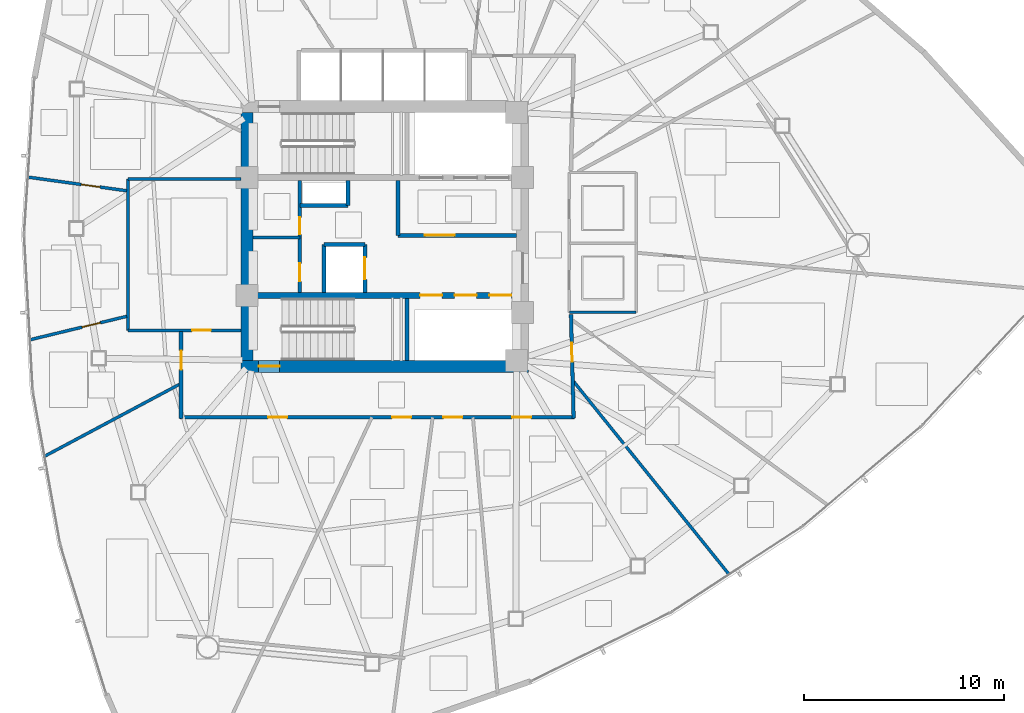
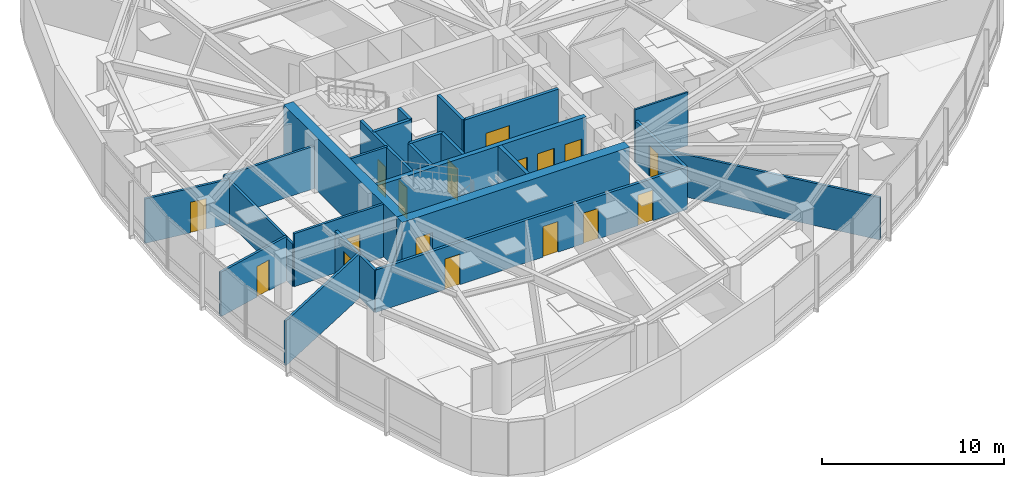
# One storey, part 12 of 18: 24 walls, 17 doors, 17 openings.
"""IFC4 building model written with IfcOpenShell, lengths in metres."""

from ifc_helpers import new_model, si_unit, direction, frame, frame_2d, origin, place, context, subcontext, project, spatial, rectangle, extrude, material, layer, layer_set, type_object, element, fill, save


model = new_model("IFC4")

# Units and contexts
model_context = context("Model", 3, precision=1e-05, world=origin(), true_north=direction((0.0, 1.0)))
body_context = subcontext(model_context, "Body", "Model", "MODEL_VIEW")
ifc_project = project(units=[si_unit("LENGTHUNIT", "METRE"), si_unit("AREAUNIT", "SQUARE_METRE"), si_unit("VOLUMEUNIT", "CUBIC_METRE"), si_unit("PLANEANGLEUNIT", "RADIAN"), si_unit("MASSUNIT", "GRAM", prefix="KILO")], contexts=[model_context])

# Site, building, storey
site_placement = place(None, origin())
site = spatial("IfcSite", under=ifc_project, at=site_placement, CompositionType="ELEMENT")
building_placement = place(site_placement, origin())
building = spatial("IfcBuilding", under=site, at=building_placement, Name="Tavelor Broadcast Tower", CompositionType="ELEMENT")
storey_placement = place(building_placement, frame((0.0, 0.0, 157.949951171875)))
storey = spatial("IfcBuildingStorey", under=building, at=storey_placement, Name="L37", CompositionType="ELEMENT", Elevation=157.949951171875)

# Wall, opening, door
ifc_material_1 = material(Name="Concrete C60/75", Category="concrete")
ifc_layer_1 = layer(ifc_material_1, 0.60009765625)
ifc_layer_set_1 = layer_set([ifc_layer_1], Name="Concrete C60/75")
wall_type_1 = type_object("IfcWallType", Name="Core Shear Wall 600 mm", PredefinedType="SHEAR", material=ifc_layer_set_1)
wall_1_placement = place(storey_placement, frame((42.800048828125, 38.5, 0.0), z_axis=(0.0, 0.0, 1.0), x_axis=(1.0, 0.0, 0.0)))
wall_1 = element("IfcWall", 1, at=wall_1_placement, inside=storey, type_object=wall_type_1, Name="L37 Central Core Shear Wall S", PredefinedType="SHEAR", context=body_context, shape_type="SweptSolid", body=[
    extrude(rectangle(XDim=14.39990234375, YDim=0.60009765625, at=frame_2d((7.199951171875, 0.0))), origin(), (0.0, 0.0, 1.0), 3.550048828125),
])
opening_1_placement = place(wall_1_placement, frame((0.8798828125, 0.0, 0.0)))
opening_1 = element("IfcOpeningElement", 2, at=opening_1_placement, cuts=wall_1, Name="Opening DR11", PredefinedType="OPENING", context=body_context, shape_type="SweptSolid", body=[
    extrude(rectangle(XDim=1.050048828125, YDim=2.199951171875, at=frame_2d((0.52490234375, 1.10009765625))), frame((0.0, 0.31005859375, 0.0), z_axis=(0.0, -1.0, 0.0), x_axis=(1.0, 0.0, 0.0)), (0.0, 0.0, 1.0), 0.6201171875),
])
ifc_material_2 = material(Name="Steel S355", Category="steel")
door_type_1 = type_object("IfcDoorType", Name="Stair Core Fire Escape Door 1050x2200", OperationType="NOTDEFINED", PredefinedType="DOOR", material=ifc_material_2)
door_1_placement = place(opening_1_placement, origin())
door_1 = element("IfcDoor", 3, at=door_1_placement, inside=storey, type_object=door_type_1, Name="L37 Stair ST2 Protected Exit Door", OperationType="SINGLE_SWING_RIGHT", OverallHeight=2.199951171875, OverallWidth=1.050048828125, PredefinedType="DOOR", context=body_context, shape_type="SweptSolid", body=[
    extrude(rectangle(XDim=1.050048828125, YDim=2.199951171875, at=frame_2d((0.52490234375, 1.10009765625))), frame((0.0, 0.02490234375, 0.0), z_axis=(0.0, -1.0, 0.0), x_axis=(1.0, 0.0, 0.0)), (0.0, 0.0, 1.0), 0.050048828125),
])
fill(opening_1, door_1)

# Wall
wall_2_placement = place(storey_placement, frame((43.10009765625, 38.800048828125, 0.0), z_axis=(0.0, 0.0, 1.0), x_axis=(0.0, 1.0, 0.0)))
element("IfcWall", 4, at=wall_2_placement, inside=storey, type_object=wall_type_1, Name="L37 Central Core Shear Wall W", PredefinedType="SHEAR", context=body_context, shape_type="SweptSolid", body=[
    extrude(rectangle(XDim=12.39990234375, YDim=0.60009765625, at=frame_2d((6.199951171875, 0.0))), origin(), (0.0, 0.0, 1.0), 3.550048828125),
])

# Wall, openings, doors
ifc_layer_2 = layer(ifc_material_1, 0.300048828125)
ifc_layer_set_2 = layer_set([ifc_layer_2], Name="Concrete C60/75")
wall_type_2 = type_object("IfcWallType", Name="Core Spine Shear Wall 300 mm C60", PredefinedType="SHEAR", material=ifc_layer_set_2)
wall_3_placement = place(storey_placement, frame((43.39990234375, 42.050048828125, 0.0), z_axis=(0.0, 0.0, 1.0), x_axis=(1.0, 0.0, 0.0)))
wall_3 = element("IfcWall", 5, at=wall_3_placement, inside=storey, type_object=wall_type_2, Name="L37 Central Core Shear Wall SP2", PredefinedType="SHEAR", context=body_context, shape_type="SweptSolid", body=[
    extrude(rectangle(XDim=13.2001953125, YDim=0.300048828125, at=frame_2d((6.60009765625, 0.0))), origin(), (0.0, 0.0, 1.0), 3.550048828125),
])
opening_2_placement = place(wall_3_placement, frame((8.3701171875, 0.0, 0.0)))
opening_2 = element("IfcOpeningElement", 6, at=opening_2_placement, cuts=wall_3, Name="Opening LD01", PredefinedType="OPENING", context=body_context, shape_type="SweptSolid", body=[
    extrude(rectangle(XDim=1.10009765625, YDim=2.14990234375, at=frame_2d((0.550048828125, 1.074951171875))), frame((0.0, 0.16015625, 0.0), z_axis=(0.0, -1.0, 0.0), x_axis=(1.0, 0.0, 0.0)), (0.0, 0.0, 1.0), 0.320068359375),
])
opening_3_placement = place(wall_3_placement, frame((10.090087890625, 0.0, 0.0)))
opening_3 = element("IfcOpeningElement", 7, at=opening_3_placement, cuts=wall_3, Name="Opening LD01", PredefinedType="OPENING", context=body_context, shape_type="SweptSolid", body=[
    extrude(rectangle(XDim=1.10009765625, YDim=2.14990234375, at=frame_2d((0.550048828125, 1.074951171875))), frame((0.0, 0.16015625, 0.0), z_axis=(0.0, -1.0, 0.0), x_axis=(1.0, 0.0, 0.0)), (0.0, 0.0, 1.0), 0.320068359375),
])
opening_4_placement = place(wall_3_placement, frame((11.830078125, 0.0, 0.0)))
opening_4 = element("IfcOpeningElement", 8, at=opening_4_placement, cuts=wall_3, Name="Opening LD01", PredefinedType="OPENING", context=body_context, shape_type="SweptSolid", body=[
    extrude(rectangle(XDim=1.10009765625, YDim=2.14990234375, at=frame_2d((0.550048828125, 1.074951171875))), frame((0.0, 0.16015625, 0.0), z_axis=(0.0, -1.0, 0.0), x_axis=(1.0, 0.0, 0.0)), (0.0, 0.0, 1.0), 0.320068359375),
])
ifc_material_3 = material(Name="Brushed Stainless Steel", Category="steel")
door_type_2 = type_object("IfcDoorType", Name="Passenger Lift Sliding Landing Door 1100x2150", OperationType="NOTDEFINED", PredefinedType="DOOR", material=ifc_material_3)
door_2_placement = place(opening_2_placement, origin())
door_2 = element("IfcDoor", 9, at=door_2_placement, inside=storey, type_object=door_type_2, Name="L37 Lift PLM1 Sliding Landing Door", OperationType="SLIDING_TO_LEFT", OverallHeight=2.14990234375, OverallWidth=1.10009765625, PredefinedType="DOOR", context=body_context, shape_type="SweptSolid", body=[
    extrude(rectangle(XDim=1.10009765625, YDim=2.14990234375, at=frame_2d((0.550048828125, 1.074951171875))), frame((0.0, 0.02490234375, 0.0), z_axis=(0.0, -1.0, 0.0), x_axis=(1.0, 0.0, 0.0)), (0.0, 0.0, 1.0), 0.050048828125),
])
fill(opening_2, door_2)
door_3_placement = place(opening_3_placement, origin())
door_3 = element("IfcDoor", 10, at=door_3_placement, inside=storey, type_object=door_type_2, Name="L37 Lift PLM2 Sliding Landing Door", OperationType="SLIDING_TO_LEFT", OverallHeight=2.14990234375, OverallWidth=1.10009765625, PredefinedType="DOOR", context=body_context, shape_type="SweptSolid", body=[
    extrude(rectangle(XDim=1.10009765625, YDim=2.14990234375, at=frame_2d((0.550048828125, 1.074951171875))), frame((0.0, 0.02490234375, 0.0), z_axis=(0.0, -1.0, 0.0), x_axis=(1.0, 0.0, 0.0)), (0.0, 0.0, 1.0), 0.050048828125),
])
fill(opening_3, door_3)
door_4_placement = place(opening_4_placement, origin())
door_4 = element("IfcDoor", 11, at=door_4_placement, inside=storey, type_object=door_type_2, Name="L37 Lift PLM3 Sliding Landing Door", OperationType="SLIDING_TO_LEFT", OverallHeight=2.14990234375, OverallWidth=1.10009765625, PredefinedType="DOOR", context=body_context, shape_type="SweptSolid", body=[
    extrude(rectangle(XDim=1.10009765625, YDim=2.14990234375, at=frame_2d((0.550048828125, 1.074951171875))), frame((0.0, 0.02490234375, 0.0), z_axis=(0.0, -1.0, 0.0), x_axis=(1.0, 0.0, 0.0)), (0.0, 0.0, 1.0), 0.050048828125),
])
fill(opening_4, door_4)

ifc_material_4 = material(Name="Calcium Silicate Fire Board 180 mm", Category="gypsum")
ifc_layer_3 = layer(ifc_material_4, 0.179931640625)
ifc_layer_set_3 = layer_set([ifc_layer_3], Name="Calcium Silicate Fire Board 180 mm")
wall_type_3 = type_object("IfcWallType", Name="Fire-Rated Corridor Partition Wall 180 mm", PredefinedType="PARTITIONING", material=ifc_layer_set_3)
wall_4_placement = place(storey_placement, frame((45.75, 42.199951171875, 0.0), z_axis=(0.0, 0.0, 1.0), x_axis=(0.0, 1.0, 0.0)))
wall_4 = element("IfcWall", 12, at=wall_4_placement, inside=storey, type_object=wall_type_3, Name="L37 Core West Service East Wall", PredefinedType="PARTITIONING", context=body_context, shape_type="SweptSolid", body=[
    extrude(rectangle(XDim=5.60009765625, YDim=0.179931640625, at=frame_2d((2.800048828125, 0.0))), origin(), (0.0, 0.0, 1.0), 3.550048828125),
])
opening_5_placement = place(wall_4_placement, frame((0.550048828125, 0.0, 0.0)))
opening_5 = element("IfcOpeningElement", 13, at=opening_5_placement, cuts=wall_4, Name="Opening DR32", PredefinedType="OPENING", context=body_context, shape_type="SweptSolid", body=[
    extrude(rectangle(XDim=0.89990234375, YDim=2.050048828125, at=frame_2d((0.449951171875, 1.02490234375))), frame((0.0, 0.10009765625, 0.0), z_axis=(0.0, -1.0, 0.0), x_axis=(1.0, 0.0, 0.0)), (0.0, 0.0, 1.0), 0.199951171875),
])
opening_6_placement = place(wall_4_placement, frame((2.89990234375, 0.0, 0.0)))
opening_6 = element("IfcOpeningElement", 14, at=opening_6_placement, cuts=wall_4, Name="Opening DR36", PredefinedType="OPENING", context=body_context, shape_type="SweptSolid", body=[
    extrude(rectangle(XDim=0.85009765625, YDim=2.050048828125, at=frame_2d((0.425048828125, 1.02490234375))), frame((0.0, 0.10009765625, 0.0), z_axis=(0.0, -1.0, 0.0), x_axis=(1.0, 0.0, 0.0)), (0.0, 0.0, 1.0), 0.199951171875),
])
ifc_material_5 = material(Name="Timber Solid Core Hardwood", Category="wood")
door_type_3 = type_object("IfcDoorType", Name="Accessible Washroom Door 900x2050", OperationType="NOTDEFINED", PredefinedType="DOOR", material=ifc_material_5)
door_5_placement = place(opening_5_placement, origin())
door_5 = element("IfcDoor", 15, at=door_5_placement, inside=storey, type_object=door_type_3, Name="L37 Core Accessible WC Door", OperationType="SINGLE_SWING_LEFT", OverallHeight=2.050048828125, OverallWidth=0.89990234375, PredefinedType="DOOR", context=body_context, shape_type="SweptSolid", body=[
    extrude(rectangle(XDim=0.89990234375, YDim=2.050048828125, at=frame_2d((0.449951171875, 1.02490234375))), frame((0.0, 0.02490234375, 0.0), z_axis=(0.0, -1.0, 0.0), x_axis=(1.0, 0.0, 0.0)), (0.0, 0.0, 1.0), 0.050048828125),
])
fill(opening_5, door_5)
door_type_4 = type_object("IfcDoorType", Name="Service Room Fire Door 850x2050", OperationType="NOTDEFINED", PredefinedType="DOOR", material=ifc_material_2)
door_6_placement = place(opening_6_placement, origin())
door_6 = element("IfcDoor", 16, at=door_6_placement, inside=storey, type_object=door_type_4, Name="L37 Core Cleaner Store Door", OperationType="SINGLE_SWING_RIGHT", OverallHeight=2.050048828125, OverallWidth=0.85009765625, PredefinedType="DOOR", context=body_context, shape_type="SweptSolid", body=[
    extrude(rectangle(XDim=0.85009765625, YDim=2.050048828125, at=frame_2d((0.425048828125, 1.02490234375))), frame((0.0, 0.02490234375, 0.0), z_axis=(0.0, -1.0, 0.0), x_axis=(1.0, 0.0, 0.0)), (0.0, 0.0, 1.0), 0.050048828125),
])
fill(opening_6, door_6)

# Wall, opening, door
wall_5_placement = place(storey_placement, frame((59.31640625, 41.10009765625, 0.0), z_axis=(0.0, 0.0, 1.0), x_axis=(0.025953695765, -0.999663146103, 0.0)))
wall_5 = element("IfcWall", 17, at=wall_5_placement, inside=storey, type_object=wall_type_3, Name="L37 Corridor Compartment Wall 03", PredefinedType="PARTITIONING", context=body_context, shape_type="SweptSolid", body=[
    extrude(rectangle(XDim=5.201904296875, YDim=0.179931640625, at=frame_2d((2.60107421875, 0.0))), origin(), (0.0, 0.0, 1.0), 2.8349609375),
])
opening_7_placement = place(wall_5_placement, frame((1.426513671875, 0.0, 0.0)))
opening_7 = element("IfcOpeningElement", 18, at=opening_7_placement, cuts=wall_5, Name="Opening DR18", PredefinedType="OPENING", context=body_context, shape_type="SweptSolid", body=[
    extrude(rectangle(XDim=0.949951171875, YDim=2.050048828125, at=frame_2d((0.47509765625, 1.02490234375))), frame((0.0, 0.10009765625, 0.0), z_axis=(0.0, -1.0, 0.0), x_axis=(1.0, 0.0, 0.0)), (0.0, 0.0, 1.0), 0.199951171875),
])
door_type_5 = type_object("IfcDoorType", Name="Corridor Rated Compartment Door 950x2050", OperationType="NOTDEFINED", PredefinedType="DOOR", material=ifc_material_5)
door_7_placement = place(opening_7_placement, origin())
door_7 = element("IfcDoor", 19, at=door_7_placement, inside=storey, type_object=door_type_5, Name="L37 Audio Dubbing Studio Door R2", OperationType="SINGLE_SWING_LEFT", OverallHeight=2.050048828125, OverallWidth=0.949951171875, PredefinedType="DOOR", context=body_context, shape_type="SweptSolid", body=[
    extrude(rectangle(XDim=0.949951171875, YDim=2.050048828125, at=frame_2d((0.47509765625, 1.02490234375))), frame((0.0, 0.02490234375, 0.0), z_axis=(0.0, -1.0, 0.0), x_axis=(1.0, 0.0, 0.0)), (0.0, 0.0, 1.0), 0.050048828125),
])
fill(opening_7, door_7)

# Wall, openings, doors
wall_6_placement = place(storey_placement, frame((59.5, 35.949951171875, 0.0), z_axis=(0.0, 0.0, 1.0), x_axis=(-1.0, 0.0, 0.0)))
wall_6 = element("IfcWall", 20, at=wall_6_placement, inside=storey, type_object=wall_type_3, Name="L37 Corridor Compartment Wall 04", PredefinedType="PARTITIONING", context=body_context, shape_type="SweptSolid", body=[
    extrude(rectangle(XDim=19.75, YDim=0.179931640625, at=frame_2d((9.875, 0.0))), origin(), (0.0, 0.0, 1.0), 2.8349609375),
])
opening_8_placement = place(wall_6_placement, frame((2.182861328125, 0.0, 0.0)))
opening_8 = element("IfcOpeningElement", 21, at=opening_8_placement, cuts=wall_6, Name="Opening DR18", PredefinedType="OPENING", context=body_context, shape_type="SweptSolid", body=[
    extrude(rectangle(XDim=0.949951171875, YDim=2.050048828125, at=frame_2d((0.47509765625, 1.02490234375))), frame((0.0, 0.10009765625, 0.0), z_axis=(0.0, -1.0, 0.0), x_axis=(1.0, 0.0, 0.0)), (0.0, 0.0, 1.0), 0.199951171875),
])
opening_9_placement = place(wall_6_placement, frame((5.623779296875, 0.0, 0.0)))
opening_9 = element("IfcOpeningElement", 22, at=opening_9_placement, cuts=wall_6, Name="Opening DR18", PredefinedType="OPENING", context=body_context, shape_type="SweptSolid", body=[
    extrude(rectangle(XDim=0.949951171875, YDim=2.050048828125, at=frame_2d((0.47509765625, 1.02490234375))), frame((0.0, 0.10009765625, 0.0), z_axis=(0.0, -1.0, 0.0), x_axis=(1.0, 0.0, 0.0)), (0.0, 0.0, 1.0), 0.199951171875),
])
opening_10_placement = place(wall_6_placement, frame((8.177978515625, 0.0, 0.0)))
opening_10 = element("IfcOpeningElement", 23, at=opening_10_placement, cuts=wall_6, Name="Opening DR18", PredefinedType="OPENING", context=body_context, shape_type="SweptSolid", body=[
    extrude(rectangle(XDim=0.949951171875, YDim=2.050048828125, at=frame_2d((0.47509765625, 1.02490234375))), frame((0.0, 0.10009765625, 0.0), z_axis=(0.0, -1.0, 0.0), x_axis=(1.0, 0.0, 0.0)), (0.0, 0.0, 1.0), 0.199951171875),
])
opening_11_placement = place(wall_6_placement, frame((14.385009765625, 0.0, 0.0)))
opening_11 = element("IfcOpeningElement", 24, at=opening_11_placement, cuts=wall_6, Name="Opening DR18", PredefinedType="OPENING", context=body_context, shape_type="SweptSolid", body=[
    extrude(rectangle(XDim=0.949951171875, YDim=2.050048828125, at=frame_2d((0.47509765625, 1.02490234375))), frame((0.0, 0.10009765625, 0.0), z_axis=(0.0, -1.0, 0.0), x_axis=(1.0, 0.0, 0.0)), (0.0, 0.0, 1.0), 0.199951171875),
])
door_8_placement = place(opening_8_placement, origin())
door_8 = element("IfcDoor", 25, at=door_8_placement, inside=storey, type_object=door_type_5, Name="L37 Podcast Recording Studio Door R3", OperationType="SINGLE_SWING_RIGHT", OverallHeight=2.050048828125, OverallWidth=0.949951171875, PredefinedType="DOOR", context=body_context, shape_type="SweptSolid", body=[
    extrude(rectangle(XDim=0.949951171875, YDim=2.050048828125, at=frame_2d((0.47509765625, 1.02490234375))), frame((0.0, 0.02490234375, 0.0), z_axis=(0.0, -1.0, 0.0), x_axis=(1.0, 0.0, 0.0)), (0.0, 0.0, 1.0), 0.050048828125),
])
fill(opening_8, door_8)
door_9_placement = place(opening_9_placement, origin())
door_9 = element("IfcDoor", 26, at=door_9_placement, inside=storey, type_object=door_type_5, Name="L37 Colour Grading Studio Door R4", OperationType="SINGLE_SWING_LEFT", OverallHeight=2.050048828125, OverallWidth=0.949951171875, PredefinedType="DOOR", context=body_context, shape_type="SweptSolid", body=[
    extrude(rectangle(XDim=0.949951171875, YDim=2.050048828125, at=frame_2d((0.47509765625, 1.02490234375))), frame((0.0, 0.02490234375, 0.0), z_axis=(0.0, -1.0, 0.0), x_axis=(1.0, 0.0, 0.0)), (0.0, 0.0, 1.0), 0.050048828125),
])
fill(opening_9, door_9)
door_10_placement = place(opening_10_placement, origin())
door_10 = element("IfcDoor", 27, at=door_10_placement, inside=storey, type_object=door_type_5, Name="L37 Sound Foley Studio Door R5", OperationType="SINGLE_SWING_RIGHT", OverallHeight=2.050048828125, OverallWidth=0.949951171875, PredefinedType="DOOR", context=body_context, shape_type="SweptSolid", body=[
    extrude(rectangle(XDim=0.949951171875, YDim=2.050048828125, at=frame_2d((0.47509765625, 1.02490234375))), frame((0.0, 0.02490234375, 0.0), z_axis=(0.0, -1.0, 0.0), x_axis=(1.0, 0.0, 0.0)), (0.0, 0.0, 1.0), 0.050048828125),
])
fill(opening_10, door_10)
door_11_placement = place(opening_11_placement, origin())
door_11 = element("IfcDoor", 28, at=door_11_placement, inside=storey, type_object=door_type_5, Name="L37 VFX Compositing Lab Door R6", OperationType="SINGLE_SWING_LEFT", OverallHeight=2.050048828125, OverallWidth=0.949951171875, PredefinedType="DOOR", context=body_context, shape_type="SweptSolid", body=[
    extrude(rectangle(XDim=0.949951171875, YDim=2.050048828125, at=frame_2d((0.47509765625, 1.02490234375))), frame((0.0, 0.02490234375, 0.0), z_axis=(0.0, -1.0, 0.0), x_axis=(1.0, 0.0, 0.0)), (0.0, 0.0, 1.0), 0.050048828125),
])
fill(opening_11, door_11)

# Wall, opening, door
wall_7_placement = place(storey_placement, frame((39.800048828125, 35.89990234375, 0.0), z_axis=(0.0, 0.0, 1.0), x_axis=(0.0, 1.0, 0.0)))
wall_7 = element("IfcWall", 29, at=wall_7_placement, inside=storey, type_object=wall_type_3, Name="L37 Corridor Compartment Wall 05", PredefinedType="PARTITIONING", context=body_context, shape_type="SweptSolid", body=[
    extrude(rectangle(XDim=4.35009765625, YDim=0.179931640625, at=frame_2d((2.175048828125, 0.0))), origin(), (0.0, 0.0, 1.0), 2.8349609375),
])
opening_12_placement = place(wall_7_placement, frame((2.428955078125, 0.0, 0.0)))
opening_12 = element("IfcOpeningElement", 30, at=opening_12_placement, cuts=wall_7, Name="Opening DR18", PredefinedType="OPENING", context=body_context, shape_type="SweptSolid", body=[
    extrude(rectangle(XDim=0.949951171875, YDim=2.050048828125, at=frame_2d((0.47509765625, 1.02490234375))), frame((0.0, 0.10009765625, 0.0), z_axis=(0.0, -1.0, 0.0), x_axis=(1.0, 0.0, 0.0)), (0.0, 0.0, 1.0), 0.199951171875),
])
door_12_placement = place(opening_12_placement, origin())
door_12 = element("IfcDoor", 31, at=door_12_placement, inside=storey, type_object=door_type_5, Name="L37 Broadcast Production Studio Door R7", OperationType="SINGLE_SWING_RIGHT", OverallHeight=2.050048828125, OverallWidth=0.949951171875, PredefinedType="DOOR", context=body_context, shape_type="SweptSolid", body=[
    extrude(rectangle(XDim=0.949951171875, YDim=2.050048828125, at=frame_2d((0.47509765625, 1.02490234375))), frame((0.0, 0.02490234375, 0.0), z_axis=(0.0, -1.0, 0.0), x_axis=(1.0, 0.0, 0.0)), (0.0, 0.0, 1.0), 0.050048828125),
])
fill(opening_12, door_12)

# Wall
ifc_material_6 = material(Name="Gypsum Acoustic Plasterboard 150 mm", Category="gypsum")
ifc_layer_4 = layer(ifc_material_6, 0.14990234375)
ifc_layer_set_4 = layer_set([ifc_layer_4], Name="Gypsum Acoustic Plasterboard 150 mm")
wall_type_4 = type_object("IfcWallType", Name="Interior Acoustic Partition Wall 150 mm", PredefinedType="PARTITIONING", material=ifc_layer_set_4)
wall_8_placement = place(storey_placement, frame((43.39990234375, 44.949951171875, 0.0), z_axis=(0.0, 0.0, 1.0), x_axis=(1.0, 0.0, 0.0)))
element("IfcWall", 32, at=wall_8_placement, inside=storey, type_object=wall_type_4, Name="L37 Core Split Wall A", PredefinedType="PARTITIONING", context=body_context, shape_type="SweptSolid", body=[
    extrude(rectangle(XDim=2.35009765625, YDim=0.14990234375, at=frame_2d((1.175048828125, 0.0))), origin(), (0.0, 0.0, 1.0), 3.550048828125),
])

# Wall, opening, door
wall_9_placement = place(storey_placement, frame((37.139892578125, 40.300048828125, 0.0), z_axis=(0.0, 0.0, 1.0), x_axis=(1.0, 0.0, 0.0)))
wall_9 = element("IfcWall", 33, at=wall_9_placement, inside=storey, type_object=wall_type_4, Name="L37 Reclaimed Shaft Pantry South Wall", PredefinedType="PARTITIONING", context=body_context, shape_type="SweptSolid", body=[
    extrude(rectangle(XDim=5.66015625, YDim=0.14990234375, at=frame_2d((2.830078125, 0.0))), origin(), (0.0, 0.0, 1.0), 3.550048828125),
])
opening_13_placement = place(wall_9_placement, frame((3.2099609375, 0.0, 0.0)))
opening_13 = element("IfcOpeningElement", 34, at=opening_13_placement, cuts=wall_9, Name="Opening DR18", PredefinedType="OPENING", context=body_context, shape_type="SweptSolid", body=[
    extrude(rectangle(XDim=0.949951171875, YDim=2.050048828125, at=frame_2d((0.47509765625, 1.02490234375))), frame((0.0, 0.0849609375, 0.0), z_axis=(0.0, -1.0, 0.0), x_axis=(1.0, 0.0, 0.0)), (0.0, 0.0, 1.0), 0.169921875),
])
door_13_placement = place(opening_13_placement, origin())
door_13 = element("IfcDoor", 35, at=door_13_placement, inside=storey, type_object=door_type_5, Name="L37 Broadcast IT Patch and Pantry Door", OperationType="SINGLE_SWING_LEFT", OverallHeight=2.050048828125, OverallWidth=0.949951171875, PredefinedType="DOOR", context=body_context, shape_type="SweptSolid", body=[
    extrude(rectangle(XDim=0.949951171875, YDim=2.050048828125, at=frame_2d((0.47509765625, 1.02490234375))), frame((0.0, 0.02490234375, 0.0), z_axis=(0.0, -1.0, 0.0), x_axis=(1.0, 0.0, 0.0)), (0.0, 0.0, 1.0), 0.050048828125),
])
fill(opening_13, door_13)

# Walls
wall_10_placement = place(storey_placement, frame((37.139892578125, 40.300048828125, 0.0), z_axis=(0.0, 0.0, 1.0), x_axis=(0.0, 1.0, 0.0)))
element("IfcWall", 36, at=wall_10_placement, inside=storey, type_object=wall_type_4, Name="L37 Reclaimed Shaft Pantry West Wall", PredefinedType="PARTITIONING", context=body_context, shape_type="SweptSolid", body=[
    extrude(rectangle(XDim=7.579833984375, YDim=0.14990234375, at=frame_2d((3.7900390625, 0.0))), origin(), (0.0, 0.0, 1.0), 2.8349609375),
])
wall_11_placement = place(storey_placement, frame((37.139892578125, 47.8798828125, 0.0), z_axis=(0.0, 0.0, 1.0), x_axis=(1.0, 0.0, 0.0)))
element("IfcWall", 37, at=wall_11_placement, inside=storey, type_object=wall_type_4, Name="L37 Reclaimed Shaft Pantry North Wall", PredefinedType="PARTITIONING", context=body_context, shape_type="SweptSolid", body=[
    extrude(rectangle(XDim=5.66015625, YDim=0.14990234375, at=frame_2d((2.830078125, 0.0))), origin(), (0.0, 0.0, 1.0), 2.8349609375),
])

# Wall, opening, door
wall_12_placement = place(storey_placement, frame((37.080078125, 47.2861328125, 0.0), z_axis=(0.0, 0.0, 1.0), x_axis=(-0.990561591896, 0.137068350327, 0.0)))
wall_12 = element("IfcWall", 38, at=wall_12_placement, inside=storey, type_object=wall_type_4, Name="L37 Radial Compartment Wall 06", PredefinedType="PARTITIONING", context=body_context, shape_type="SweptSolid", body=[
    extrude(rectangle(XDim=5.003173828125, YDim=0.14990234375, at=frame_2d((2.50146484375, 0.0))), origin(), (0.0, 0.0, 1.0), 2.97509765625),
])
opening_14_placement = place(wall_12_placement, frame((1.35009765625, 0.0, 0.0)))
opening_14 = element("IfcOpeningElement", 39, at=opening_14_placement, cuts=wall_12, Name="Opening DR18", PredefinedType="OPENING", context=body_context, shape_type="SweptSolid", body=[
    extrude(rectangle(XDim=0.949951171875, YDim=2.050048828125, at=frame_2d((0.47509765625, 1.02490234375))), frame((0.0, 0.0849609375, 0.0), z_axis=(0.0, -1.0, 0.0), x_axis=(1.0, 0.0, 0.0)), (0.0, 0.0, 1.0), 0.169921875),
])
door_14_placement = place(opening_14_placement, origin())
door_14 = element("IfcDoor", 40, at=door_14_placement, inside=storey, type_object=door_type_5, Name="L37 Suite Connecting Door 9", OperationType="SINGLE_SWING_RIGHT", OverallHeight=2.050048828125, OverallWidth=0.949951171875, PredefinedType="DOOR", context=body_context, shape_type="SweptSolid", body=[
    extrude(rectangle(XDim=0.949951171875, YDim=2.050048828125, at=frame_2d((0.47509765625, 1.02490234375))), frame((0.0, 0.02490234375, 0.0), z_axis=(0.0, -1.0, 0.0), x_axis=(1.0, 0.0, 0.0)), (0.0, 0.0, 1.0), 0.050048828125),
])
fill(opening_14, door_14)

wall_13_placement = place(storey_placement, frame((37.080078125, 41.0, 0.0), z_axis=(0.0, 0.0, 1.0), x_axis=(-0.971919633825, -0.235313037005, 0.0)))
wall_13 = element("IfcWall", 41, at=wall_13_placement, inside=storey, type_object=wall_type_4, Name="L37 Radial Compartment Wall 07", PredefinedType="PARTITIONING", context=body_context, shape_type="SweptSolid", body=[
    extrude(rectangle(XDim=4.991455078125, YDim=0.14990234375, at=frame_2d((2.49560546875, 0.0))), origin(), (0.0, 0.0, 1.0), 2.97509765625),
])
opening_15_placement = place(wall_13_placement, frame((1.35009765625, 0.0, 0.0)))
opening_15 = element("IfcOpeningElement", 42, at=opening_15_placement, cuts=wall_13, Name="Opening DR18", PredefinedType="OPENING", context=body_context, shape_type="SweptSolid", body=[
    extrude(rectangle(XDim=0.949951171875, YDim=2.050048828125, at=frame_2d((0.47509765625, 1.02490234375))), frame((0.0, 0.0849609375, 0.0), z_axis=(0.0, -1.0, 0.0), x_axis=(1.0, 0.0, 0.0)), (0.0, 0.0, 1.0), 0.169921875),
])
door_15_placement = place(opening_15_placement, origin())
door_15 = element("IfcDoor", 43, at=door_15_placement, inside=storey, type_object=door_type_5, Name="L37 Suite Connecting Door 8", OperationType="SINGLE_SWING_LEFT", OverallHeight=2.050048828125, OverallWidth=0.949951171875, PredefinedType="DOOR", context=body_context, shape_type="SweptSolid", body=[
    extrude(rectangle(XDim=0.949951171875, YDim=2.050048828125, at=frame_2d((0.47509765625, 1.02490234375))), frame((0.0, 0.02490234375, 0.0), z_axis=(0.0, -1.0, 0.0), x_axis=(1.0, 0.0, 0.0)), (0.0, 0.0, 1.0), 0.050048828125),
])
fill(opening_15, door_15)

# Walls
wall_14_placement = place(storey_placement, frame((39.800048828125, 37.640380859375, 0.0), z_axis=(0.0, 0.0, 1.0), x_axis=(-0.882360785571, -0.470573526759, 0.0)))
element("IfcWall", 44, at=wall_14_placement, inside=storey, type_object=wall_type_4, Name="L37 Radial Compartment Wall 08", PredefinedType="PARTITIONING", context=body_context, shape_type="SweptSolid", body=[
    extrude(rectangle(XDim=7.753662109375, YDim=0.14990234375, at=frame_2d((3.876953125, 0.0))), origin(), (0.0, 0.0, 1.0), 2.97509765625),
])
wall_15_placement = place(storey_placement, frame((59.402099609375, 37.7998046875, 0.0), z_axis=(0.0, 0.0, 1.0), x_axis=(0.627433629043, -0.778670046391, 0.0)))
element("IfcWall", 45, at=wall_15_placement, inside=storey, type_object=wall_type_4, Name="L37 Radial Compartment Wall 12", PredefinedType="PARTITIONING", context=body_context, shape_type="SweptSolid", body=[
    extrude(rectangle(XDim=12.48486328125, YDim=0.14990234375, at=frame_2d((6.242431640625, 0.0))), origin(), (0.0, 0.0, 1.0), 2.8349609375),
])

# Wall, opening, door
ifc_material_7 = material(Name="Concrete Blockwork 200 mm", Category="masonry")
ifc_layer_5 = layer(ifc_material_7, 0.199951171875)
ifc_layer_set_5 = layer_set([ifc_layer_5], Name="Concrete Blockwork 200 mm")
wall_type_5 = type_object("IfcWallType", Name="Lift Hoistway Rated Front Wall 200 mm", PredefinedType="PARTITIONING", material=ifc_layer_set_5)
wall_16_placement = place(storey_placement, frame((49.0, 42.199951171875, 0.0), z_axis=(0.0, 0.0, 1.0), x_axis=(0.0, 1.0, 0.0)))
wall_16 = element("IfcWall", 46, at=wall_16_placement, inside=storey, type_object=wall_type_5, Name="L37 Mid-Rise Lift PLM4 Hoistway Front Wall", PredefinedType="PARTITIONING", context=body_context, shape_type="SweptSolid", body=[
    extrude(rectangle(XDim=2.400146484375, YDim=0.199951171875, at=frame_2d((1.2001953125, 0.0))), origin(), (0.0, 0.0, 1.0), 3.550048828125),
])
opening_16_placement = place(wall_16_placement, frame((0.64990234375, 0.0, 0.0)))
opening_16 = element("IfcOpeningElement", 47, at=opening_16_placement, cuts=wall_16, Name="Opening LD01", PredefinedType="OPENING", context=body_context, shape_type="SweptSolid", body=[
    extrude(rectangle(XDim=1.10009765625, YDim=2.14990234375, at=frame_2d((0.550048828125, 1.074951171875))), frame((0.0, 0.10986328125, 0.0), z_axis=(0.0, -1.0, 0.0), x_axis=(1.0, 0.0, 0.0)), (0.0, 0.0, 1.0), 0.219970703125),
])
door_16_placement = place(opening_16_placement, origin())
door_16 = element("IfcDoor", 48, at=door_16_placement, inside=storey, type_object=door_type_2, Name="L37 Lift PLM4 Sliding Landing Door", OperationType="SLIDING_TO_RIGHT", OverallHeight=2.14990234375, OverallWidth=1.10009765625, PredefinedType="DOOR", context=body_context, shape_type="SweptSolid", body=[
    extrude(rectangle(XDim=1.10009765625, YDim=2.14990234375, at=frame_2d((0.550048828125, 1.074951171875))), frame((0.0, 0.02490234375, 0.0), z_axis=(0.0, -1.0, 0.0), x_axis=(1.0, 0.0, 0.0)), (0.0, 0.0, 1.0), 0.050048828125),
])
fill(opening_16, door_16)

# Walls
ifc_layer_6 = layer(ifc_material_7, 0.199951171875)
ifc_layer_set_6 = layer_set([ifc_layer_6], Name="Concrete Blockwork 200 mm")
wall_type_6 = type_object("IfcWallType", Name="Lift and Riser Shaft Enclosure Wall 200 mm", PredefinedType="PARTITIONING", material=ifc_layer_set_6)
wall_17_placement = place(storey_placement, frame((45.75, 46.550048828125, 0.0), z_axis=(0.0, 0.0, 1.0), x_axis=(1.0, 0.0, 0.0)))
element("IfcWall", 49, at=wall_17_placement, inside=storey, type_object=wall_type_6, Name="L37 Riser Shaft South Wall", PredefinedType="PARTITIONING", context=body_context, shape_type="SweptSolid", body=[
    extrude(rectangle(XDim=2.39990234375, YDim=0.199951171875, at=frame_2d((1.199951171875, 0.0))), origin(), (0.0, 0.0, 1.0), 3.550048828125),
])
wall_18_placement = place(storey_placement, frame((48.14990234375, 46.550048828125, 0.0), z_axis=(0.0, 0.0, 1.0), x_axis=(0.0, 1.0, 0.0)))
element("IfcWall", 50, at=wall_18_placement, inside=storey, type_object=wall_type_6, Name="L37 Riser Shaft East Wall", PredefinedType="PARTITIONING", context=body_context, shape_type="SweptSolid", body=[
    extrude(rectangle(XDim=1.25, YDim=0.199951171875, at=frame_2d((0.625, 0.0))), origin(), (0.0, 0.0, 1.0), 3.550048828125),
])
wall_19_placement = place(storey_placement, frame((46.949951171875, 42.199951171875, 0.0), z_axis=(0.0, 0.0, 1.0), x_axis=(0.0, 1.0, 0.0)))
element("IfcWall", 51, at=wall_19_placement, inside=storey, type_object=wall_type_6, Name="L37 Mid-Rise Lift PLM4 West Wall", PredefinedType="PARTITIONING", context=body_context, shape_type="SweptSolid", body=[
    extrude(rectangle(XDim=2.400146484375, YDim=0.199951171875, at=frame_2d((1.2001953125, 0.0))), origin(), (0.0, 0.0, 1.0), 3.550048828125),
])
wall_20_placement = place(storey_placement, frame((46.949951171875, 44.60009765625, 0.0), z_axis=(0.0, 0.0, 1.0), x_axis=(1.0, 0.0, 0.0)))
element("IfcWall", 52, at=wall_20_placement, inside=storey, type_object=wall_type_6, Name="L37 Mid-Rise Lift PLM4 North Wall", PredefinedType="PARTITIONING", context=body_context, shape_type="SweptSolid", body=[
    extrude(rectangle(XDim=2.050048828125, YDim=0.199951171875, at=frame_2d((1.02490234375, 0.0))), origin(), (0.0, 0.0, 1.0), 3.550048828125),
])

# Wall, opening, door
wall_21_placement = place(storey_placement, frame((50.64990234375, 45.050048828125, 0.0), z_axis=(0.0, 0.0, 1.0), x_axis=(1.0, 0.0, 0.0)))
wall_21 = element("IfcWall", 53, at=wall_21_placement, inside=storey, type_object=wall_type_6, Name="L37 Firefighting Lobby South Wall", PredefinedType="PARTITIONING", context=body_context, shape_type="SweptSolid", body=[
    extrude(rectangle(XDim=5.9501953125, YDim=0.199951171875, at=frame_2d((2.97509765625, 0.0))), origin(), (0.0, 0.0, 1.0), 3.550048828125),
])
opening_17_placement = place(wall_21_placement, frame((1.35009765625, 0.0, 0.0)))
opening_17 = element("IfcOpeningElement", 54, at=opening_17_placement, cuts=wall_21, Name="Opening DR14", PredefinedType="OPENING", context=body_context, shape_type="SweptSolid", body=[
    extrude(rectangle(XDim=1.5, YDim=2.199951171875, at=frame_2d((0.75, 1.10009765625))), frame((0.0, 0.10986328125, 0.0), z_axis=(0.0, -1.0, 0.0), x_axis=(1.0, 0.0, 0.0)), (0.0, 0.0, 1.0), 0.219970703125),
])
door_type_6 = type_object("IfcDoorType", Name="Firefighting Lobby Double Fire Door 1500x2200", OperationType="NOTDEFINED", PredefinedType="DOOR", material=ifc_material_2)
door_17_placement = place(opening_17_placement, origin())
door_17 = element("IfcDoor", 55, at=door_17_placement, inside=storey, type_object=door_type_6, Name="L37 Firefighting Lobby Compartment Door", OperationType="SINGLE_SWING_LEFT", OverallHeight=2.199951171875, OverallWidth=1.5, PredefinedType="DOOR", context=body_context, shape_type="SweptSolid", body=[
    extrude(rectangle(XDim=1.5, YDim=2.199951171875, at=frame_2d((0.75, 1.10009765625))), frame((0.0, 0.02490234375, 0.0), z_axis=(0.0, -1.0, 0.0), x_axis=(1.0, 0.0, 0.0)), (0.0, 0.0, 1.0), 0.050048828125),
])
fill(opening_17, door_17)

# Walls
wall_22_placement = place(storey_placement, frame((50.64990234375, 45.050048828125, 0.0), z_axis=(0.0, 0.0, 1.0), x_axis=(0.0, 1.0, 0.0)))
element("IfcWall", 56, at=wall_22_placement, inside=storey, type_object=wall_type_6, Name="L37 Firefighting Lobby West Wall", PredefinedType="PARTITIONING", context=body_context, shape_type="SweptSolid", body=[
    extrude(rectangle(XDim=2.75, YDim=0.199951171875, at=frame_2d((1.375, 0.0))), origin(), (0.0, 0.0, 1.0), 3.550048828125),
])
ifc_material_8 = material(Name="Moisture-Resistant Plasterboard 120 mm", Category="gypsum")
ifc_layer_7 = layer(ifc_material_8, 0.1201171875)
ifc_layer_set_7 = layer_set([ifc_layer_7], Name="Moisture-Resistant Plasterboard 120 mm")
wall_type_7 = type_object("IfcWallType", Name="Moisture-Resistant Wet-Room Partition 120 mm", PredefinedType="PARTITIONING", material=ifc_layer_set_7)
wall_23_placement = place(storey_placement, frame((59.239990234375, 41.199951171875, 0.0), z_axis=(0.0, 0.0, 1.0), x_axis=(1.0, 0.0, 0.0)))
element("IfcWall", 57, at=wall_23_placement, inside=storey, type_object=wall_type_7, Name="L37 Floor Washrooms South Wall", PredefinedType="PARTITIONING", context=body_context, shape_type="SweptSolid", body=[
    extrude(rectangle(XDim=3.340087890625, YDim=0.1201171875, at=frame_2d((1.669921875, 0.0))), origin(), (0.0, 0.0, 1.0), 3.550048828125),
])
ifc_material_9 = material(Name="Concrete C40/50", Category="concrete")
ifc_layer_8 = layer(ifc_material_9, 0.219970703125)
ifc_layer_set_8 = layer_set([ifc_layer_8], Name="Concrete C40/50")
wall_type_8 = type_object("IfcWallType", Name="Structural Stairwell Shear Wall 220 mm", PredefinedType="SHEAR", material=ifc_layer_set_8)
wall_24_placement = place(storey_placement, frame((51.110107421875, 38.800048828125, 0.0), z_axis=(0.0, 0.0, 1.0), x_axis=(0.0, 1.0, 0.0)))
element("IfcWall", 58, at=wall_24_placement, inside=storey, type_object=wall_type_8, Name="L37 Stair ST2 Structural Shaft Wall", PredefinedType="SHEAR", context=body_context, shape_type="SweptSolid", body=[
    extrude(rectangle(XDim=3.099853515625, YDim=0.219970703125, at=frame_2d((1.5498046875, 0.0))), origin(), (0.0, 0.0, 1.0), 3.550048828125),
])

save(model, "model.ifc")
